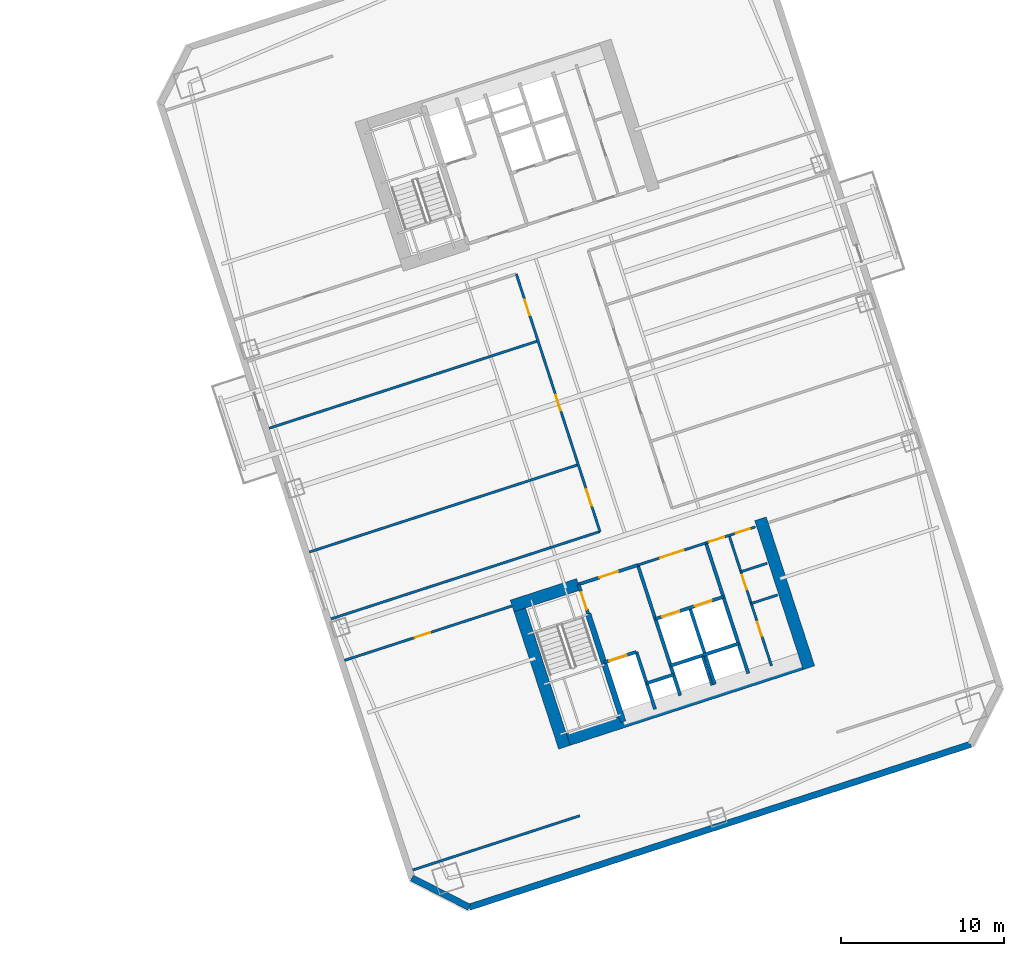
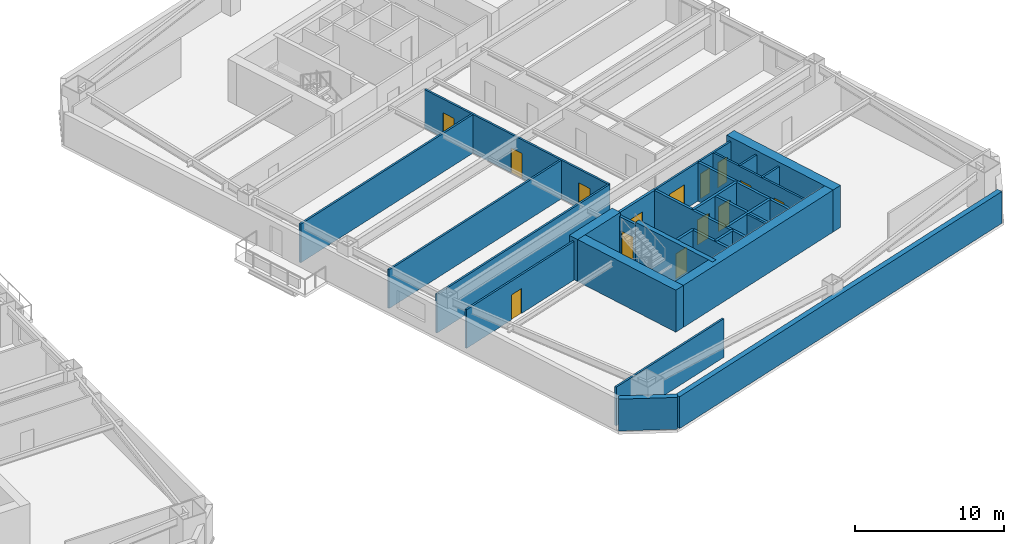
# One storey, part 7 of 15: 29 walls, 14 doors, 14 openings.
"""IFC4 building model written with IfcOpenShell, lengths in metres."""

from ifc_helpers import new_model, si_unit, direction, frame, frame_2d, origin, place, context, subcontext, project, spatial, rectangle, extrude, material, layer, layer_set, type_object, element, fill, save


model = new_model("IFC4")

# Units and contexts
model_context = context("Model", 3, precision=1e-05, world=origin(), true_north=direction((0.0, 1.0)))
body_context = subcontext(model_context, "Body", "Model", "MODEL_VIEW")
ifc_project = project(units=[si_unit("LENGTHUNIT", "METRE"), si_unit("AREAUNIT", "SQUARE_METRE"), si_unit("VOLUMEUNIT", "CUBIC_METRE"), si_unit("PLANEANGLEUNIT", "RADIAN"), si_unit("MASSUNIT", "GRAM", prefix="KILO")], contexts=[model_context])

# Site, building, storey
site_placement = place(None, origin())
site = spatial("IfcSite", under=ifc_project, at=site_placement, CompositionType="ELEMENT")
building_placement = place(site_placement, origin())
building = spatial("IfcBuilding", under=site, at=building_placement, Name="Qiaolan Cultural Towers", CompositionType="ELEMENT")
storey_placement = place(building_placement, frame((0.0, 0.0, 71.300048828125)))
storey = spatial("IfcBuildingStorey", under=building, at=storey_placement, Name="L17", CompositionType="ELEMENT", Elevation=71.300048828125)

# Walls
ifc_material_1 = material(Name="Concrete C50", Category="concrete")
ifc_layer_1 = layer(ifc_material_1, 0.35009765625)
ifc_layer_set_1 = layer_set([ifc_layer_1], Name="Concrete C50")
wall_type_1 = type_object("IfcWallType", Name="WL-CORE-350", PredefinedType="SHEAR", material=ifc_layer_set_1)
wall_1_placement = place(storey_placement, frame((90.486328125, 20.59423828125, 0.0), z_axis=(0.0, 0.0, 1.0), x_axis=(0.309020428229, -0.951055400562, 0.0)))
element("IfcWall", 1, at=wall_1_placement, inside=storey, type_object=wall_type_1, Name="L17 T2-CS Stair Core Dividing Web", PredefinedType="SHEAR", context=body_context, shape_type="SweptSolid", body=[
    extrude(rectangle(XDim=6.97998046875, YDim=0.35009765625, at=frame_2d((3.489990234375, 0.0))), origin(), (0.0, 0.0, 1.0), 3.449951171875),
])
ifc_material_2 = material(Name="Concrete C60", Category="concrete")
ifc_layer_2 = layer(ifc_material_2, 0.75)
ifc_layer_set_2 = layer_set([ifc_layer_2], Name="Concrete C60")
wall_type_2 = type_object("IfcWallType", Name="WL-CORE-750", PredefinedType="SHEAR", material=ifc_layer_set_2)
wall_2_placement = place(storey_placement, frame((88.55859375, 12.628662109375, 0.0), z_axis=(0.0, 0.0, 1.0), x_axis=(0.951056072937, 0.309018358888, 0.0)))
element("IfcWall", 2, at=wall_2_placement, inside=storey, type_object=wall_type_2, Name="L17 T2-CS Outer Core Shear Wall", PredefinedType="SHEAR", context=body_context, shape_type="SweptSolid", body=[
    extrude(rectangle(XDim=16.550048828125, YDim=0.75, at=frame_2d((8.27490234375, 0.0))), origin(), (0.0, 0.0, 1.0), 3.449951171875),
])
wall_3_placement = place(storey_placement, frame((86.05517578125, 21.54638671875, 0.0), z_axis=(0.0, 0.0, 1.0), x_axis=(0.309023585745, -0.951054374604, 0.0)))
element("IfcWall", 3, at=wall_3_placement, inside=storey, type_object=wall_type_2, Name="L17 T2-CS West Core Shear Wall", PredefinedType="SHEAR", context=body_context, shape_type="SweptSolid", body=[
    extrude(rectangle(XDim=9.6298828125, YDim=0.75, at=frame_2d((4.81494140625, 0.0))), origin(), (0.0, 0.0, 1.0), 3.449951171875),
])
wall_4_placement = place(storey_placement, frame((101.08203125, 26.428955078125, 0.0), z_axis=(0.0, 0.0, 1.0), x_axis=(0.309016134813, -0.951056795583, 0.0)))
element("IfcWall", 4, at=wall_4_placement, inside=storey, type_object=wall_type_2, Name="L17 T2-CS East Core Shear Wall", PredefinedType="SHEAR", context=body_context, shape_type="SweptSolid", body=[
    extrude(rectangle(XDim=9.630126953125, YDim=0.75, at=frame_2d((4.81494140625, 0.0))), origin(), (0.0, 0.0, 1.0), 3.449951171875),
])
wall_5_placement = place(storey_placement, frame((85.814453125, 21.073974609375, 0.0), z_axis=(0.0, 0.0, 1.0), x_axis=(0.95106580992, 0.308988390074, 0.0)))
element("IfcWall", 5, at=wall_5_placement, inside=storey, type_object=wall_type_2, Name="L17 T2-CS Stair Front Shear Wall", PredefinedType="SHEAR", context=body_context, shape_type="SweptSolid", body=[
    extrude(rectangle(XDim=4.295166015625, YDim=0.75, at=frame_2d((2.1474609375, 0.0))), origin(), (0.0, 0.0, 1.0), 3.449951171875),
])
ifc_material_3 = material(Name="Precast Concrete C50 Honed Stone Pier", Category="masonry")
ifc_layer_3 = layer(ifc_material_3, 0.39990234375)
ifc_layer_set_3 = layer_set([ifc_layer_3], Name="Precast Concrete C50 Honed Stone Pier")
wall_type_3 = type_object("IfcWallType", Name="WL-EXT-PIER-400", PredefinedType="SOLIDWALL", material=ifc_layer_set_3)
wall_6_placement = place(storey_placement, frame((113.997802734375, 12.566650390625, 0.0), z_axis=(0.0, 0.0, 1.0), x_axis=(-0.951055939317, -0.309018770125, 0.0)))
element("IfcWall", 6, at=wall_6_placement, inside=storey, type_object=wall_type_3, Name="L17 East Tower Precast Pier Facade Wall F7", PredefinedType="SOLIDWALL", context=body_context, shape_type="SweptSolid", body=[
    extrude(rectangle(XDim=32.39990234375, YDim=0.39990234375, at=frame_2d((16.199951171875, 0.0))), origin(), (0.0, 0.0, 1.0), 2.60986328125),
])
wall_7_placement = place(storey_placement, frame((83.18359375, 2.554443359375, 0.0), z_axis=(0.0, 0.0, 1.0), x_axis=(-0.890998089617, 0.454007053137, 0.0)))
element("IfcWall", 7, at=wall_7_placement, inside=storey, type_object=wall_type_3, Name="L17 East Tower Precast Pier Facade Wall F8", PredefinedType="SOLIDWALL", context=body_context, shape_type="SweptSolid", body=[
    extrude(rectangle(XDim=3.9599609375, YDim=0.39990234375, at=frame_2d((1.97998046875, 0.0))), origin(), (0.0, 0.0, 1.0), 2.60986328125),
])

# Wall, opening, door
ifc_material_4 = material(Name="Concrete C35 Fire Wall", Category="concrete")
ifc_layer_4 = layer(ifc_material_4, 0.199951171875)
ifc_layer_set_4 = layer_set([ifc_layer_4], Name="Concrete C35 Fire Wall")
wall_type_4 = type_object("IfcWallType", Name="WL-FIRE-200", PredefinedType="PARTITIONING", material=ifc_layer_set_4)
wall_8_placement = place(storey_placement, frame((89.8994140625, 22.401123046875, 0.0), z_axis=(0.0, 0.0, 1.0), x_axis=(0.308932062672, -0.951084108086, 0.0)))
wall_8 = element("IfcWall", 8, at=wall_8_placement, inside=storey, type_object=wall_type_4, Name="L17 T2-CS Smokeproof Stair Entry Wall", PredefinedType="PARTITIONING", context=body_context, shape_type="SweptSolid", body=[
    extrude(rectangle(XDim=1.89990234375, YDim=0.199951171875, at=frame_2d((0.949951171875, 0.0))), origin(), (0.0, 0.0, 1.0), 3.175048828125),
])
opening_1_placement = place(wall_8_placement, frame((0.52001953125, 0.0, 0.0)))
opening_1 = element("IfcOpeningElement", 9, at=opening_1_placement, cuts=wall_8, Name="Opening FD-04", PredefinedType="OPENING", context=body_context, shape_type="SweptSolid", body=[
    extrude(rectangle(XDim=1.10009765625, YDim=2.050048828125, at=frame_2d((0.550048828125, 1.02490234375))), frame((0.0, 0.10986328125, 0.0), z_axis=(0.0, -1.0, 0.0), x_axis=(1.0, 0.0, 0.0)), (0.0, 0.0, 1.0), 0.219970703125),
])
ifc_material_5 = material(Name="Galvanized Steel Command Fire Door", Category="steel")
door_type_1 = type_object("IfcDoorType", Name="DR-FD90-1100", OperationType="NOTDEFINED", PredefinedType="DOOR", material=ifc_material_5)
door_1_placement = place(opening_1_placement, origin())
door_1 = element("IfcDoor", 10, at=door_1_placement, inside=storey, type_object=door_type_1, Name="L17 ST-E1 Smokeproof Stair Fire Door", OperationType="SINGLE_SWING_LEFT", OverallHeight=2.050048828125, OverallWidth=1.10009765625, PredefinedType="DOOR", context=body_context, shape_type="SweptSolid", body=[
    extrude(rectangle(XDim=1.10009765625, YDim=2.050048828125, at=frame_2d((0.550048828125, 1.02490234375))), frame((0.0, 0.02490234375, 0.0), z_axis=(0.0, -1.0, 0.0), x_axis=(1.0, 0.0, 0.0)), (0.0, 0.0, 1.0), 0.050048828125),
])
fill(opening_1, door_1)

# Wall
wall_9_placement = place(storey_placement, frame((93.541748046875, 23.584716796875, 0.0), z_axis=(0.0, 0.0, 1.0), x_axis=(0.309042196757, -0.951048327176, 0.0)))
element("IfcWall", 11, at=wall_9_placement, inside=storey, type_object=wall_type_4, Name="L17 T2-CS Firefighting Zone Wall", PredefinedType="PARTITIONING", context=body_context, shape_type="SweptSolid", body=[
    extrude(rectangle(XDim=8.429931640625, YDim=0.199951171875, at=frame_2d((4.21484375, 0.0))), origin(), (0.0, 0.0, 1.0), 3.175048828125),
])

# Wall, opening, door
wall_10_placement = place(storey_placement, frame((89.8994140625, 22.401123046875, 0.0), z_axis=(0.0, 0.0, 1.0), x_axis=(0.951046716504, 0.309047153403, 0.0)))
wall_10 = element("IfcWall", 12, at=wall_10_placement, inside=storey, type_object=wall_type_4, Name="L17 T2-CS Firefighting Lobby Front Wall", PredefinedType="PARTITIONING", context=body_context, shape_type="SweptSolid", body=[
    extrude(rectangle(XDim=3.829833984375, YDim=0.199951171875, at=frame_2d((1.9150390625, 0.0))), origin(), (0.0, 0.0, 1.0), 3.175048828125),
])
opening_2_placement = place(wall_10_placement, frame((1.35009765625, 0.0, 0.0)))
opening_2 = element("IfcOpeningElement", 13, at=opening_2_placement, cuts=wall_10, Name="Opening FD-03", PredefinedType="OPENING", context=body_context, shape_type="SweptSolid", body=[
    extrude(rectangle(XDim=1.199951171875, YDim=2.050048828125, at=frame_2d((0.60009765625, 1.02490234375))), frame((0.0, 0.10986328125, 0.0), z_axis=(0.0, -1.0, 0.0), x_axis=(1.0, 0.0, 0.0)), (0.0, 0.0, 1.0), 0.219970703125),
])
ifc_material_6 = material(Name="Galvanized Steel Smokeproof Lobby Fire Door", Category="steel")
door_type_2 = type_object("IfcDoorType", Name="DR-FD90-1200", OperationType="NOTDEFINED", PredefinedType="DOOR", material=ifc_material_6)
door_2_placement = place(opening_2_placement, origin())
door_2 = element("IfcDoor", 14, at=door_2_placement, inside=storey, type_object=door_type_2, Name="L17 FFL-E1 Firefighting Lobby Fire Door", OperationType="SINGLE_SWING_LEFT", OverallHeight=2.050048828125, OverallWidth=1.199951171875, PredefinedType="DOOR", context=body_context, shape_type="SweptSolid", body=[
    extrude(rectangle(XDim=1.199951171875, YDim=2.050048828125, at=frame_2d((0.60009765625, 1.02490234375))), frame((0.0, 0.02490234375, 0.0), z_axis=(0.0, -1.0, 0.0), x_axis=(1.0, 0.0, 0.0)), (0.0, 0.0, 1.0), 0.050048828125),
])
fill(opening_2, door_2)

wall_11_placement = place(storey_placement, frame((91.459716796875, 17.598388671875, 0.0), z_axis=(0.0, 0.0, 1.0), x_axis=(0.951062257173, 0.308999325213, 0.0)))
wall_11 = element("IfcWall", 15, at=wall_11_placement, inside=storey, type_object=wall_type_4, Name="L17 T2-CS Firefighting Shaft Front Wall", PredefinedType="PARTITIONING", context=body_context, shape_type="SweptSolid", body=[
    extrude(rectangle(XDim=2.10009765625, YDim=0.199951171875, at=frame_2d((1.050048828125, 0.0))), origin(), (0.0, 0.0, 1.0), 3.175048828125),
])
opening_3_placement = place(wall_11_placement, frame((0.35009765625, 0.0, 0.0)))
opening_3 = element("IfcOpeningElement", 16, at=opening_3_placement, cuts=wall_11, Name="Opening LD-01", PredefinedType="OPENING", context=body_context, shape_type="SweptSolid", body=[
    extrude(rectangle(XDim=1.10009765625, YDim=2.050048828125, at=frame_2d((0.550048828125, 1.02490234375))), frame((0.0, 0.10986328125, 0.0), z_axis=(0.0, -1.0, 0.0), x_axis=(1.0, 0.0, 0.0)), (0.0, 0.0, 1.0), 0.219970703125),
])
ifc_material_7 = material(Name="Brushed Stainless Steel S30408 Centre-Parting Lift Landing Door", Category="steel")
door_type_3 = type_object("IfcDoorType", Name="DR-LIFT-1100", OperationType="NOTDEFINED", PredefinedType="DOOR", material=ifc_material_7)
door_3_placement = place(opening_3_placement, origin())
door_3 = element("IfcDoor", 17, at=door_3_placement, inside=storey, type_object=door_type_3, Name="L17 FFL-E1 Firefighting Lift Landing Door", OperationType="DOUBLE_DOOR_SLIDING", OverallHeight=2.050048828125, OverallWidth=1.10009765625, PredefinedType="DOOR", context=body_context, shape_type="SweptSolid", body=[
    extrude(rectangle(XDim=1.10009765625, YDim=2.050048828125, at=frame_2d((0.550048828125, 1.02490234375))), frame((0.0, 0.02490234375, 0.0), z_axis=(0.0, -1.0, 0.0), x_axis=(1.0, 0.0, 0.0)), (0.0, 0.0, 1.0), 0.050048828125),
])
fill(opening_3, door_3)

# Walls
wall_12_placement = place(storey_placement, frame((93.45703125, 18.247314453125, 0.0), z_axis=(0.0, 0.0, 1.0), x_axis=(0.3089935693, -0.951064127245, 0.0)))
element("IfcWall", 18, at=wall_12_placement, inside=storey, type_object=wall_type_4, Name="L17 T2-CS Firefighting Hoistway East Wall", PredefinedType="PARTITIONING", context=body_context, shape_type="SweptSolid", body=[
    extrude(rectangle(XDim=3.7001953125, YDim=0.199951171875, at=frame_2d((1.85009765625, 0.0))), origin(), (0.0, 0.0, 1.0), 3.175048828125),
])
wall_13_placement = place(storey_placement, frame((94.08447265625, 16.316650390625, 0.0), z_axis=(0.0, 0.0, 1.0), x_axis=(0.951041328149, 0.309063734775, 0.0)))
element("IfcWall", 19, at=wall_13_placement, inside=storey, type_object=wall_type_4, Name="L17 T2-CS Pressurization Shaft Front Wall", PredefinedType="PARTITIONING", context=body_context, shape_type="SweptSolid", body=[
    extrude(rectangle(XDim=1.72998046875, YDim=0.199951171875, at=frame_2d((0.864990234375, 0.0))), origin(), (0.0, 0.0, 1.0), 3.175048828125),
])
wall_14_placement = place(storey_placement, frame((97.7265625, 24.9443359375, 0.0), z_axis=(0.0, 0.0, 1.0), x_axis=(0.309016001439, -0.951056838919, 0.0)))
element("IfcWall", 20, at=wall_14_placement, inside=storey, type_object=wall_type_4, Name="L17 T2-CS Lift Core East Wall", PredefinedType="PARTITIONING", context=body_context, shape_type="SweptSolid", body=[
    extrude(rectangle(XDim=8.429931640625, YDim=0.199951171875, at=frame_2d((4.21484375, 0.0))), origin(), (0.0, 0.0, 1.0), 3.175048828125),
])

# Wall, openings, doors
wall_15_placement = place(storey_placement, frame((94.6171875, 20.275146484375, 0.0), z_axis=(0.0, 0.0, 1.0), x_axis=(0.951058531764, 0.30901079133, 0.0)))
wall_15 = element("IfcWall", 21, at=wall_15_placement, inside=storey, type_object=wall_type_4, Name="L17 T2-CS Passenger Lift Shaft Front Wall", PredefinedType="PARTITIONING", context=body_context, shape_type="SweptSolid", body=[
    extrude(rectangle(XDim=4.39990234375, YDim=0.199951171875, at=frame_2d((2.199951171875, 0.0))), origin(), (0.0, 0.0, 1.0), 3.175048828125),
])
opening_4_placement = place(wall_15_placement, frame((0.449951171875, 0.0, 0.0)))
opening_4 = element("IfcOpeningElement", 22, at=opening_4_placement, cuts=wall_15, Name="Opening LD-01", PredefinedType="OPENING", context=body_context, shape_type="SweptSolid", body=[
    extrude(rectangle(XDim=1.10009765625, YDim=2.050048828125, at=frame_2d((0.550048828125, 1.02490234375))), frame((0.0, 0.10986328125, 0.0), z_axis=(0.0, -1.0, 0.0), x_axis=(1.0, 0.0, 0.0)), (0.0, 0.0, 1.0), 0.219970703125),
])
opening_5_placement = place(wall_15_placement, frame((2.550048828125, 0.0, 0.0)))
opening_5 = element("IfcOpeningElement", 23, at=opening_5_placement, cuts=wall_15, Name="Opening LD-01", PredefinedType="OPENING", context=body_context, shape_type="SweptSolid", body=[
    extrude(rectangle(XDim=1.10009765625, YDim=2.050048828125, at=frame_2d((0.550048828125, 1.02490234375))), frame((0.0, 0.10986328125, 0.0), z_axis=(0.0, -1.0, 0.0), x_axis=(1.0, 0.0, 0.0)), (0.0, 0.0, 1.0), 0.219970703125),
])
door_4_placement = place(opening_4_placement, origin())
door_4 = element("IfcDoor", 24, at=door_4_placement, inside=storey, type_object=door_type_3, Name="L17 Passenger Lift 1 Landing Door", OperationType="DOUBLE_DOOR_SLIDING", OverallHeight=2.050048828125, OverallWidth=1.10009765625, PredefinedType="DOOR", context=body_context, shape_type="SweptSolid", body=[
    extrude(rectangle(XDim=1.10009765625, YDim=2.050048828125, at=frame_2d((0.550048828125, 1.02490234375))), frame((0.0, 0.02490234375, 0.0), z_axis=(0.0, -1.0, 0.0), x_axis=(1.0, 0.0, 0.0)), (0.0, 0.0, 1.0), 0.050048828125),
])
fill(opening_4, door_4)
door_5_placement = place(opening_5_placement, origin())
door_5 = element("IfcDoor", 25, at=door_5_placement, inside=storey, type_object=door_type_3, Name="L17 Passenger Lift 2 Landing Door", OperationType="DOUBLE_DOOR_SLIDING", OverallHeight=2.050048828125, OverallWidth=1.10009765625, PredefinedType="DOOR", context=body_context, shape_type="SweptSolid", body=[
    extrude(rectangle(XDim=1.10009765625, YDim=2.050048828125, at=frame_2d((0.550048828125, 1.02490234375))), frame((0.0, 0.02490234375, 0.0), z_axis=(0.0, -1.0, 0.0), x_axis=(1.0, 0.0, 0.0)), (0.0, 0.0, 1.0), 0.050048828125),
])
fill(opening_5, door_5)

# Walls
wall_16_placement = place(storey_placement, frame((96.738037109375, 20.964111328125, 0.0), z_axis=(0.0, 0.0, 1.0), x_axis=(0.309042578481, -0.951048203135, 0.0)))
element("IfcWall", 26, at=wall_16_placement, inside=storey, type_object=wall_type_4, Name="L17 T2-CS Lift Shaft Divider Wall", PredefinedType="PARTITIONING", context=body_context, shape_type="SweptSolid", body=[
    extrude(rectangle(XDim=4.9501953125, YDim=0.199951171875, at=frame_2d((2.47509765625, 0.0))), origin(), (0.0, 0.0, 1.0), 3.175048828125),
])
wall_17_placement = place(storey_placement, frame((95.550537109375, 17.40283203125, 0.0), z_axis=(0.0, 0.0, 1.0), x_axis=(0.951058531764, 0.30901079133, 0.0)))
element("IfcWall", 27, at=wall_17_placement, inside=storey, type_object=wall_type_4, Name="L17 T2-CS Passenger Lift Shaft Back Wall", PredefinedType="PARTITIONING", context=body_context, shape_type="SweptSolid", body=[
    extrude(rectangle(XDim=4.39990234375, YDim=0.199951171875, at=frame_2d((2.199951171875, 0.0))), origin(), (0.0, 0.0, 1.0), 3.175048828125),
])

# Wall, opening, door
ifc_material_8 = material(Name="Autoclaved Aerated Concrete Block B06", Category="concrete")
ifc_layer_5 = layer(ifc_material_8, 0.14990234375)
ifc_layer_set_5 = layer_set([ifc_layer_5], Name="Autoclaved Aerated Concrete Block B06")
wall_type_5 = type_object("IfcWallType", Name="WL-PART-150", PredefinedType="PARTITIONING", material=ifc_layer_set_5)
wall_18_placement = place(storey_placement, frame((93.541748046875, 23.584716796875, 0.0), z_axis=(0.0, 0.0, 1.0), x_axis=(0.951063829732, 0.308994485023, 0.0)))
wall_18 = element("IfcWall", 28, at=wall_18_placement, inside=storey, type_object=wall_type_5, Name="L17 T2-CS Passenger Lift Lobby Front Wall", PredefinedType="PARTITIONING", context=body_context, shape_type="SweptSolid", body=[
    extrude(rectangle(XDim=4.400146484375, YDim=0.14990234375, at=frame_2d((2.2001953125, 0.0))), origin(), (0.0, 0.0, 1.0), 3.175048828125),
])
opening_6_placement = place(wall_18_placement, frame((1.449951171875, 0.0, 0.0)))
opening_6 = element("IfcOpeningElement", 29, at=opening_6_placement, cuts=wall_18, Name="Opening FD-05", PredefinedType="OPENING", context=body_context, shape_type="SweptSolid", body=[
    extrude(rectangle(XDim=1.5, YDim=2.050048828125, at=frame_2d((0.75, 1.02490234375))), frame((0.0, 0.0849609375, 0.0), z_axis=(0.0, -1.0, 0.0), x_axis=(1.0, 0.0, 0.0)), (0.0, 0.0, 1.0), 0.169921875),
])
ifc_material_9 = material(Name="Painted Steel Lift Lobby Fire Door", Category="steel")
door_type_4 = type_object("IfcDoorType", Name="DR-FD60-1500", OperationType="NOTDEFINED", PredefinedType="DOOR", material=ifc_material_9)
door_6_placement = place(opening_6_placement, origin())
door_6 = element("IfcDoor", 30, at=door_6_placement, inside=storey, type_object=door_type_4, Name="L17 Passenger Lift Lobby Entrance", OperationType="SINGLE_SWING_LEFT", OverallHeight=2.050048828125, OverallWidth=1.5, PredefinedType="DOOR", context=body_context, shape_type="SweptSolid", body=[
    extrude(rectangle(XDim=1.5, YDim=2.050048828125, at=frame_2d((0.75, 1.02490234375))), frame((0.0, 0.02490234375, 0.0), z_axis=(0.0, -1.0, 0.0), x_axis=(1.0, 0.0, 0.0)), (0.0, 0.0, 1.0), 0.050048828125),
])
fill(opening_6, door_6)

# Wall
wall_19_placement = place(storey_placement, frame((97.515625, 17.98876953125, 0.0), z_axis=(0.0, 0.0, 1.0), x_axis=(0.30897153969, -0.951071284217, 0.0)))
element("IfcWall", 31, at=wall_19_placement, inside=storey, type_object=wall_type_5, Name="L17 T2-CS Core Rear Split Wall", PredefinedType="PARTITIONING", context=body_context, shape_type="SweptSolid", body=[
    extrude(rectangle(XDim=1.8798828125, YDim=0.14990234375, at=frame_2d((0.93994140625, 0.0))), origin(), (0.0, 0.0, 1.0), 3.175048828125),
])

# Wall, openings, doors
wall_20_placement = place(storey_placement, frame((97.7265625, 24.9443359375, 0.0), z_axis=(0.0, 0.0, 1.0), x_axis=(0.951036872128, 0.309077446369, 0.0)))
wall_20 = element("IfcWall", 32, at=wall_20_placement, inside=storey, type_object=wall_type_5, Name="L17 T2-CS Sanitary Core Front Wall", PredefinedType="PARTITIONING", context=body_context, shape_type="SweptSolid", body=[
    extrude(rectangle(XDim=3.199951171875, YDim=0.14990234375, at=frame_2d((1.60009765625, 0.0))), origin(), (0.0, 0.0, 1.0), 3.175048828125),
])
opening_7_placement = place(wall_20_placement, frame((0.219970703125, 0.0, 0.0)))
opening_7 = element("IfcOpeningElement", 33, at=opening_7_placement, cuts=wall_20, Name="Opening ID-05", PredefinedType="OPENING", context=body_context, shape_type="SweptSolid", body=[
    extrude(rectangle(XDim=0.949951171875, YDim=2.050048828125, at=frame_2d((0.47509765625, 1.02490234375))), frame((0.0, 0.0849609375, 0.0), z_axis=(0.0, -1.0, 0.0), x_axis=(1.0, 0.0, 0.0)), (0.0, 0.0, 1.0), 0.169921875),
])
opening_8_placement = place(wall_20_placement, frame((1.949951171875, 0.0, 0.0)))
opening_8 = element("IfcOpeningElement", 34, at=opening_8_placement, cuts=wall_20, Name="Opening ID-06", PredefinedType="OPENING", context=body_context, shape_type="SweptSolid", body=[
    extrude(rectangle(XDim=0.89990234375, YDim=2.050048828125, at=frame_2d((0.449951171875, 1.02490234375))), frame((0.0, 0.0849609375, 0.0), z_axis=(0.0, -1.0, 0.0), x_axis=(1.0, 0.0, 0.0)), (0.0, 0.0, 1.0), 0.169921875),
])
ifc_material_10 = material(Name="Fire-Rated Laminate Core Service Door", Category="timber")
door_type_5 = type_object("IfcDoorType", Name="DR-INT-900", OperationType="NOTDEFINED", PredefinedType="DOOR", material=ifc_material_10)
door_7_placement = place(opening_8_placement, origin())
door_7 = element("IfcDoor", 35, at=door_7_placement, inside=storey, type_object=door_type_5, Name="L17 Core Tea Pantry Door", OperationType="SINGLE_SWING_RIGHT", OverallHeight=2.050048828125, OverallWidth=0.89990234375, PredefinedType="DOOR", context=body_context, shape_type="SweptSolid", body=[
    extrude(rectangle(XDim=0.89990234375, YDim=2.050048828125, at=frame_2d((0.449951171875, 1.02490234375))), frame((0.0, 0.02490234375, 0.0), z_axis=(0.0, -1.0, 0.0), x_axis=(1.0, 0.0, 0.0)), (0.0, 0.0, 1.0), 0.050048828125),
])
fill(opening_8, door_7)
ifc_material_11 = material(Name="Fire-Rated Laminate Accessible Core Door", Category="timber")
door_type_6 = type_object("IfcDoorType", Name="DR-INT-950", OperationType="NOTDEFINED", PredefinedType="DOOR", material=ifc_material_11)
door_8_placement = place(opening_7_placement, origin())
door_8 = element("IfcDoor", 36, at=door_8_placement, inside=storey, type_object=door_type_6, Name="L17 Sanitary Passage Door", OperationType="SINGLE_SWING_LEFT", OverallHeight=2.050048828125, OverallWidth=0.949951171875, PredefinedType="DOOR", context=body_context, shape_type="SweptSolid", body=[
    extrude(rectangle(XDim=0.949951171875, YDim=2.050048828125, at=frame_2d((0.47509765625, 1.02490234375))), frame((0.0, 0.02490234375, 0.0), z_axis=(0.0, -1.0, 0.0), x_axis=(1.0, 0.0, 0.0)), (0.0, 0.0, 1.0), 0.050048828125),
])
fill(opening_7, door_8)

wall_21_placement = place(storey_placement, frame((99.153076171875, 25.407958984375, 0.0), z_axis=(0.0, 0.0, 1.0), x_axis=(0.309016001439, -0.951056838919, 0.0)))
wall_21 = element("IfcWall", 37, at=wall_21_placement, inside=storey, type_object=wall_type_5, Name="L17 T2-CS Sanitary Corridor Wall", PredefinedType="PARTITIONING", context=body_context, shape_type="SweptSolid", body=[
    extrude(rectangle(XDim=8.429931640625, YDim=0.14990234375, at=frame_2d((4.21484375, 0.0))), origin(), (0.0, 0.0, 1.0), 3.175048828125),
])
opening_9_placement = place(wall_21_placement, frame((2.550048828125, 0.0, 0.0)))
opening_9 = element("IfcOpeningElement", 38, at=opening_9_placement, cuts=wall_21, Name="Opening ID-05", PredefinedType="OPENING", context=body_context, shape_type="SweptSolid", body=[
    extrude(rectangle(XDim=0.949951171875, YDim=2.050048828125, at=frame_2d((0.47509765625, 1.02490234375))), frame((0.0, 0.0849609375, 0.0), z_axis=(0.0, -1.0, 0.0), x_axis=(1.0, 0.0, 0.0)), (0.0, 0.0, 1.0), 0.169921875),
])
opening_10_placement = place(wall_21_placement, frame((5.60009765625, 0.0, 0.0)))
opening_10 = element("IfcOpeningElement", 39, at=opening_10_placement, cuts=wall_21, Name="Opening ID-06", PredefinedType="OPENING", context=body_context, shape_type="SweptSolid", body=[
    extrude(rectangle(XDim=0.89990234375, YDim=2.050048828125, at=frame_2d((0.449951171875, 1.02490234375))), frame((0.0, 0.0849609375, 0.0), z_axis=(0.0, -1.0, 0.0), x_axis=(1.0, 0.0, 0.0)), (0.0, 0.0, 1.0), 0.169921875),
])
door_9_placement = place(opening_10_placement, origin())
door_9 = element("IfcDoor", 40, at=door_9_placement, inside=storey, type_object=door_type_5, Name="L17 Staff Restroom Door", OperationType="SINGLE_SWING_RIGHT", OverallHeight=2.050048828125, OverallWidth=0.89990234375, PredefinedType="DOOR", context=body_context, shape_type="SweptSolid", body=[
    extrude(rectangle(XDim=0.89990234375, YDim=2.050048828125, at=frame_2d((0.449951171875, 1.02490234375))), frame((0.0, 0.02490234375, 0.0), z_axis=(0.0, -1.0, 0.0), x_axis=(1.0, 0.0, 0.0)), (0.0, 0.0, 1.0), 0.050048828125),
])
fill(opening_10, door_9)
door_10_placement = place(opening_9_placement, origin())
door_10 = element("IfcDoor", 41, at=door_10_placement, inside=storey, type_object=door_type_6, Name="L17 Accessible Washroom Door", OperationType="SINGLE_SWING_LEFT", OverallHeight=2.050048828125, OverallWidth=0.949951171875, PredefinedType="DOOR", context=body_context, shape_type="SweptSolid", body=[
    extrude(rectangle(XDim=0.949951171875, YDim=2.050048828125, at=frame_2d((0.47509765625, 1.02490234375))), frame((0.0, 0.02490234375, 0.0), z_axis=(0.0, -1.0, 0.0), x_axis=(1.0, 0.0, 0.0)), (0.0, 0.0, 1.0), 0.050048828125),
])
fill(opening_9, door_10)

# Walls
for number, where, z_axis, x_axis, name in (
    (42, (100.5126953125, 21.223388671875, 0.0), (0.0, 0.0, 1.0), (0.951096313471, 0.308894484414, 0.0), "L17 T2-CS Restroom Split Wall"),
    (43, (99.879150390625, 23.1728515625, 0.0), (0.0, 0.0, 1.0), (0.951054116971, 0.309024378638, 0.0), "L17 T2-CS Core Pantry Wall"),
):
    element("IfcWall", number, at=place(storey_placement, frame(where, z_axis=z_axis, x_axis=x_axis)), inside=storey, type_object=wall_type_5, Name=name, PredefinedType="PARTITIONING", context=body_context, shape_type="SweptSolid", body=[
        extrude(rectangle(XDim=1.7001953125, YDim=0.14990234375, at=frame_2d((0.85009765625, 0.0))), origin(), (0.0, 0.0, 1.0), 3.175048828125),
    ])
wall_22_placement = place(storey_placement, frame((79.70654296875, 4.842041015625, 0.0), z_axis=(0.0, 0.0, 1.0), x_axis=(0.951056658866, 0.309016555588, 0.0)))
element("IfcWall", 44, at=wall_22_placement, inside=storey, type_object=wall_type_5, Name="L17 T2 Flank Wall FLK-SW", PredefinedType="PARTITIONING", context=body_context, shape_type="SweptSolid", body=[
    extrude(rectangle(XDim=10.800048828125, YDim=0.14990234375, at=frame_2d((5.39990234375, 0.0))), origin(), (0.0, 0.0, 1.0), 3.175048828125),
])

# Wall, opening, door
wall_23_placement = place(storey_placement, frame((75.519287109375, 17.728759765625, 0.0), z_axis=(0.0, 0.0, 1.0), x_axis=(0.951056658866, 0.309016555588, 0.0)))
wall_23 = element("IfcWall", 45, at=wall_23_placement, inside=storey, type_object=wall_type_5, Name="L17 T2 Flank Front FLK-SW", PredefinedType="PARTITIONING", context=body_context, shape_type="SweptSolid", body=[
    extrude(rectangle(XDim=10.800048828125, YDim=0.14990234375, at=frame_2d((5.39990234375, 0.0))), origin(), (0.0, 0.0, 1.0), 3.175048828125),
])
opening_11_placement = place(wall_23_placement, frame((4.535888671875, 0.0, 0.0)))
opening_11 = element("IfcOpeningElement", 46, at=opening_11_placement, cuts=wall_23, Name="Opening ID-04", PredefinedType="OPENING", context=body_context, shape_type="SweptSolid", body=[
    extrude(rectangle(XDim=1.0, YDim=2.050048828125, at=frame_2d((0.5, 1.02490234375))), frame((0.0, 0.0849609375, 0.0), z_axis=(0.0, -1.0, 0.0), x_axis=(1.0, 0.0, 0.0)), (0.0, 0.0, 1.0), 0.169921875),
])
ifc_material_12 = material(Name="Oak Veneer Acoustic Office Door", Category="timber")
door_type_7 = type_object("IfcDoorType", Name="DR-INT-1000", OperationType="NOTDEFINED", PredefinedType="DOOR", material=ifc_material_12)
door_11_placement = place(opening_11_placement, origin())
door_11 = element("IfcDoor", 47, at=door_11_placement, inside=storey, type_object=door_type_7, Name="L17 T2 Corner Studio Door", OperationType="SINGLE_SWING_LEFT", OverallHeight=2.050048828125, OverallWidth=1.0, PredefinedType="DOOR", context=body_context, shape_type="SweptSolid", body=[
    extrude(rectangle(XDim=1.0, YDim=2.050048828125, at=frame_2d((0.5, 1.02490234375))), frame((0.0, 0.02490234375, 0.0), z_axis=(0.0, -1.0, 0.0), x_axis=(1.0, 0.0, 0.0)), (0.0, 0.0, 1.0), 0.050048828125),
])
fill(opening_11, door_11)

# Wall
wall_24_placement = place(storey_placement, frame((74.691162109375, 20.277587890625, 0.0), z_axis=(0.0, 0.0, 1.0), x_axis=(0.951053169828, 0.309027293551, 0.0)))
element("IfcWall", 48, at=wall_24_placement, inside=storey, type_object=wall_type_5, Name="L17 T2 South Corridor Left Wall", PredefinedType="PARTITIONING", context=body_context, shape_type="SweptSolid", body=[
    extrude(rectangle(XDim=17.375, YDim=0.14990234375, at=frame_2d((8.6875, 0.0))), origin(), (0.0, 0.0, 1.0), 3.175048828125),
])

# Wall, openings, doors
wall_25_placement = place(storey_placement, frame((91.2158203125, 25.64697265625, 0.0), z_axis=(0.0, 0.0, 1.0), x_axis=(-0.309022042254, 0.951054876125, 0.0)))
wall_25 = element("IfcWall", 49, at=wall_25_placement, inside=storey, type_object=wall_type_5, Name="L17 T2 West Spine Wall", PredefinedType="PARTITIONING", context=body_context, shape_type="SweptSolid", body=[
    extrude(rectangle(XDim=16.639892578125, YDim=0.14990234375, at=frame_2d((8.31982421875, 0.0))), origin(), (0.0, 0.0, 1.0), 3.175048828125),
])
opening_12_placement = place(wall_25_placement, frame((1.659912109375, 0.0, 0.0)))
opening_12 = element("IfcOpeningElement", 50, at=opening_12_placement, cuts=wall_25, Name="Opening ID-07", PredefinedType="OPENING", context=body_context, shape_type="SweptSolid", body=[
    extrude(rectangle(XDim=1.050048828125, YDim=2.050048828125, at=frame_2d((0.52490234375, 1.02490234375))), frame((0.0, 0.0849609375, 0.0), z_axis=(0.0, -1.0, 0.0), x_axis=(1.0, 0.0, 0.0)), (0.0, 0.0, 1.0), 0.169921875),
])
opening_13_placement = place(wall_25_placement, frame((7.820068359375, 0.0, 0.0)))
opening_13 = element("IfcOpeningElement", 51, at=opening_13_placement, cuts=wall_25, Name="Opening ID-04", PredefinedType="OPENING", context=body_context, shape_type="SweptSolid", body=[
    extrude(rectangle(XDim=1.0, YDim=2.050048828125, at=frame_2d((0.5, 1.02490234375))), frame((0.0, 0.0849609375, 0.0), z_axis=(0.0, -1.0, 0.0), x_axis=(1.0, 0.0, 0.0)), (0.0, 0.0, 1.0), 0.169921875),
])
opening_14_placement = place(wall_25_placement, frame((13.97998046875, 0.0, 0.0)))
opening_14 = element("IfcOpeningElement", 52, at=opening_14_placement, cuts=wall_25, Name="Opening ID-04", PredefinedType="OPENING", context=body_context, shape_type="SweptSolid", body=[
    extrude(rectangle(XDim=1.0, YDim=2.050048828125, at=frame_2d((0.5, 1.02490234375))), frame((0.0, 0.0849609375, 0.0), z_axis=(0.0, -1.0, 0.0), x_axis=(1.0, 0.0, 0.0)), (0.0, 0.0, 1.0), 0.169921875),
])
door_12_placement = place(opening_13_placement, origin())
door_12 = element("IfcDoor", 53, at=door_12_placement, inside=storey, type_object=door_type_7, Name="L17 T2 Staff Dining Kitchen Door", OperationType="SINGLE_SWING_RIGHT", OverallHeight=2.050048828125, OverallWidth=1.0, PredefinedType="DOOR", context=body_context, shape_type="SweptSolid", body=[
    extrude(rectangle(XDim=1.0, YDim=2.050048828125, at=frame_2d((0.5, 1.02490234375))), frame((0.0, 0.02490234375, 0.0), z_axis=(0.0, -1.0, 0.0), x_axis=(1.0, 0.0, 0.0)), (0.0, 0.0, 1.0), 0.050048828125),
])
fill(opening_13, door_12)
door_13_placement = place(opening_14_placement, origin())
door_13 = element("IfcDoor", 54, at=door_13_placement, inside=storey, type_object=door_type_7, Name="L17 T2 Staff Dining Kitchen Door", OperationType="SINGLE_SWING_LEFT", OverallHeight=2.050048828125, OverallWidth=1.0, PredefinedType="DOOR", context=body_context, shape_type="SweptSolid", body=[
    extrude(rectangle(XDim=1.0, YDim=2.050048828125, at=frame_2d((0.5, 1.02490234375))), frame((0.0, 0.02490234375, 0.0), z_axis=(0.0, -1.0, 0.0), x_axis=(1.0, 0.0, 0.0)), (0.0, 0.0, 1.0), 0.050048828125),
])
fill(opening_14, door_13)
ifc_material_13 = material(Name="Oak Veneer Consultation Door", Category="timber")
door_type_8 = type_object("IfcDoorType", Name="DR-INT-1050", OperationType="NOTDEFINED", PredefinedType="DOOR", material=ifc_material_13)
door_14_placement = place(opening_12_placement, origin())
door_14 = element("IfcDoor", 55, at=door_14_placement, inside=storey, type_object=door_type_8, Name="L17 T2 Staff Dining Kitchen Door", OperationType="SINGLE_SWING_LEFT", OverallHeight=2.050048828125, OverallWidth=1.050048828125, PredefinedType="DOOR", context=body_context, shape_type="SweptSolid", body=[
    extrude(rectangle(XDim=1.050048828125, YDim=2.050048828125, at=frame_2d((0.52490234375, 1.02490234375))), frame((0.0, 0.02490234375, 0.0), z_axis=(0.0, -1.0, 0.0), x_axis=(1.0, 0.0, 0.0)), (0.0, 0.0, 1.0), 0.050048828125),
])
fill(opening_12, door_14)

# Walls
for number, where, z_axis, x_axis, name in (
    (56, (73.356201171875, 24.38623046875, 0.0), (0.0, 0.0, 1.0), (0.951057299418, 0.309014584159, 0.0), "L17 T2 West Partition 1"),
    (57, (70.884033203125, 31.99462890625, 0.0), (0.0, 0.0, 1.0), (0.951057299418, 0.309014584159, 0.0), "L17 T2 West Partition 2"),
):
    element("IfcWall", number, at=place(storey_placement, frame(where, z_axis=z_axis, x_axis=x_axis)), inside=storey, type_object=wall_type_5, Name=name, PredefinedType="PARTITIONING", context=body_context, shape_type="SweptSolid", body=[
        extrude(rectangle(XDim=17.375, YDim=0.14990234375, at=frame_2d((8.6875, 0.0))), origin(), (0.0, 0.0, 1.0), 3.175048828125),
    ])

save(model, "model.ifc")
